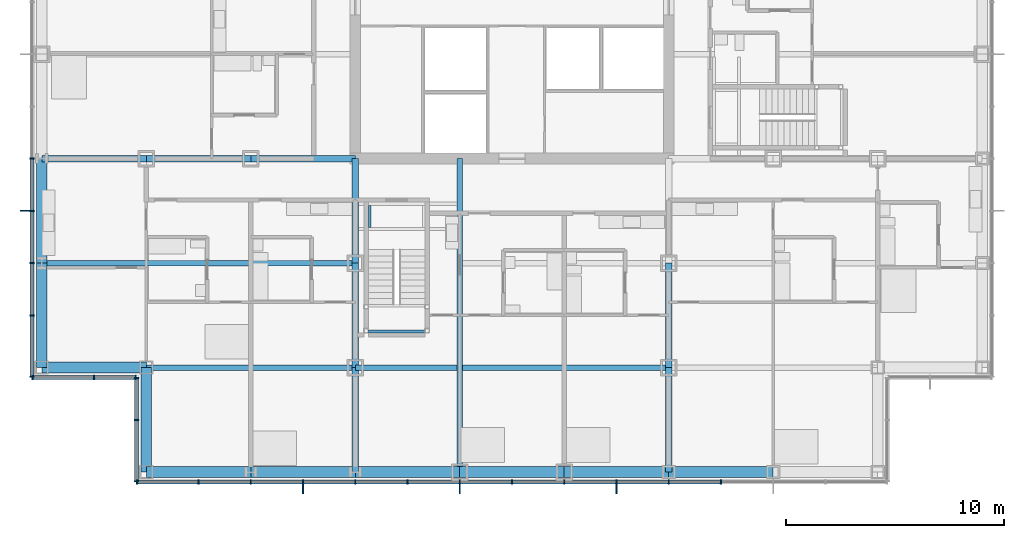
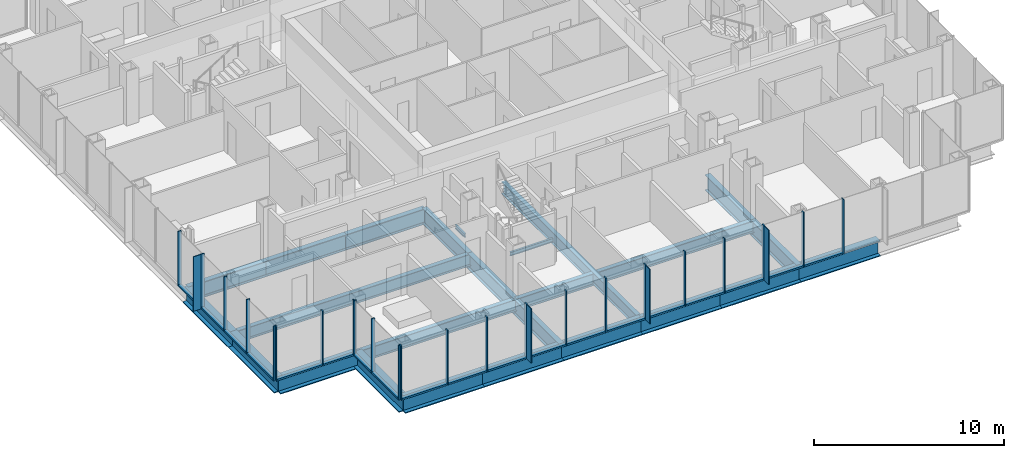
# One storey, part 6 of 21: 46 members, 25 beams, 4 elements without a shape of their own.
"""IFC4 building model written with IfcOpenShell, lengths in metres."""

from ifc_helpers import new_model, si_unit, direction, frame, origin, origin_2d, place, context, subcontext, project, spatial, rectangle, i_section, extrude, material, material_profile, profile_set, type_object, element, aggregate, save


model = new_model("IFC4")

# Units and contexts
model_context = context("Model", 3, precision=1e-05, world=origin(), true_north=direction((0.0, 1.0)))
body_context = subcontext(model_context, "Body", "Model", "MODEL_VIEW")
ifc_project = project(units=[si_unit("LENGTHUNIT", "METRE"), si_unit("AREAUNIT", "SQUARE_METRE"), si_unit("VOLUMEUNIT", "CUBIC_METRE"), si_unit("PLANEANGLEUNIT", "RADIAN"), si_unit("MASSUNIT", "GRAM", prefix="KILO")], contexts=[model_context])

# Site, building, storey
site_placement = place(None, origin())
site = spatial("IfcSite", under=ifc_project, at=site_placement, CompositionType="ELEMENT")
building_placement = place(site_placement, origin())
building = spatial("IfcBuilding", under=site, at=building_placement, Name="Kvirike Care Tower", CompositionType="ELEMENT")
storey_placement = place(building_placement, frame((0.0, 0.0, 41.0)))
storey = spatial("IfcBuildingStorey", under=building, at=storey_placement, Name="L10", CompositionType="ELEMENT", Elevation=41.0)

# Curtain wall, member
ifc_material_1 = material(Name="Anodised aluminium stick system", Category="aluminium")
curtain_wall_type = type_object("IfcCurtainWallType", Name="CW-A STICK CURTAIN WALL", PredefinedType="NOTDEFINED", material=ifc_material_1)
curtain_wall_1_placement = place(storey_placement, origin())
curtain_wall_1 = element("IfcCurtainWall", 1, at=curtain_wall_1_placement, inside=storey, type_object=curtain_wall_type, Name="Curtain wall L10 face 1", PredefinedType="NOTDEFINED")
ifc_material_2 = material(Name="Bronze anodised aluminium fin", Category="aluminium")
ifc_material_profile_1 = material_profile(ifc_material_2, rectangle(XDim=0.050048828125, YDim=0.449951171875, at=origin_2d()), Name="BRONZE FIN 450")
ifc_profile_set_1 = profile_set([ifc_material_profile_1], Name="Bronze anodised aluminium fin")
member_type_1 = type_object("IfcMemberType", Name="BRONZE FIN 450", PredefinedType="USERDEFINED", material=ifc_profile_set_1)
member_1_placement = place(storey_placement, frame((-0.77490234375, 26.39990234375, 0.0), z_axis=(0.0, 0.0, 1.0), x_axis=(0.0, -1.0, 0.0)))
member_1 = element("IfcMember", 2, at=member_1_placement, type_object=member_type_1, Name="Bronze fin L10 face 1.12", ObjectType="FIN", PredefinedType="USERDEFINED", context=body_context, shape_type="SweptSolid", body=[
    extrude(rectangle(XDim=0.050048828125, YDim=0.449951171875, at=origin_2d()), origin(), (0.0, 0.0, 1.0), 3.5),
])

# Curtain wall, members
curtain_wall_2_placement = place(storey_placement, origin())
curtain_wall_2 = element("IfcCurtainWall", 3, at=curtain_wall_2_placement, inside=storey, type_object=curtain_wall_type, Name="Curtain wall L10 face 4", PredefinedType="NOTDEFINED")
member_2_placement = place(storey_placement, frame((12.0, 13.625, 0.0), z_axis=(0.0, 0.0, 1.0), x_axis=(1.0, 0.0, 0.0)))
member_2 = element("IfcMember", 4, at=member_2_placement, type_object=member_type_1, Name="Bronze fin L10 face 4.4", ObjectType="FIN", PredefinedType="USERDEFINED", context=body_context, shape_type="SweptSolid", body=[
    extrude(rectangle(XDim=0.050048828125, YDim=0.449951171875, at=origin_2d()), origin(), (0.0, 0.0, 1.0), 3.5),
])
member_3_placement = place(storey_placement, frame((19.199951171875, 13.625, 0.0), z_axis=(0.0, 0.0, 1.0), x_axis=(1.0, 0.0, 0.0)))
member_3 = element("IfcMember", 5, at=member_3_placement, type_object=member_type_1, Name="Bronze fin L10 face 4.7", ObjectType="FIN", PredefinedType="USERDEFINED", context=body_context, shape_type="SweptSolid", body=[
    extrude(rectangle(XDim=0.050048828125, YDim=0.449951171875, at=origin_2d()), origin(), (0.0, 0.0, 1.0), 3.5),
])
member_4_placement = place(storey_placement, frame((26.39990234375, 13.625, 0.0), z_axis=(0.0, 0.0, 1.0), x_axis=(1.0, 0.0, 0.0)))
member_4 = element("IfcMember", 6, at=member_4_placement, type_object=member_type_1, Name="Bronze fin L10 face 4.10", ObjectType="FIN", PredefinedType="USERDEFINED", context=body_context, shape_type="SweptSolid", body=[
    extrude(rectangle(XDim=0.050048828125, YDim=0.449951171875, at=origin_2d()), origin(), (0.0, 0.0, 1.0), 3.5),
])

# Member
ifc_material_3 = material(Name="Bronze anodised aluminium mullion", Category="aluminium")
ifc_material_profile_2 = material_profile(ifc_material_3, rectangle(XDim=0.06494140625, YDim=0.199951171875, at=origin_2d()), Name="CW-A MULLION 65x200")
ifc_profile_set_2 = profile_set([ifc_material_profile_2], Name="Bronze anodised aluminium mullion")
member_type_2 = type_object("IfcMemberType", Name="CW-A MULLION 65x200", PredefinedType="MULLION", material=ifc_profile_set_2)
member_5_placement = place(storey_placement, frame((-0.449951171875, 28.800048828125, 0.0), z_axis=(0.0, 0.0, 1.0), x_axis=(0.0, -1.0, 0.0)))
member_5 = element("IfcMember", 7, at=member_5_placement, type_object=member_type_2, Name="CW-A mullion L10 face 1.11", PredefinedType="MULLION", context=body_context, shape_type="SweptSolid", body=[
    extrude(rectangle(XDim=0.06494140625, YDim=0.199951171875, at=origin_2d()), origin(), (0.0, 0.0, 1.0), 3.5),
])

member_6_placement = place(storey_placement, frame((-0.449951171875, 26.39990234375, 0.0), z_axis=(0.0, 0.0, 1.0), x_axis=(0.0, -1.0, 0.0)))
member_6 = element("IfcMember", 8, at=member_6_placement, type_object=member_type_2, Name="CW-A mullion L10 face 1.12", PredefinedType="MULLION", context=body_context, shape_type="SweptSolid", body=[
    extrude(rectangle(XDim=0.06494140625, YDim=0.199951171875, at=origin_2d()), origin(), (0.0, 0.0, 1.0), 3.5),
])

member_7_placement = place(storey_placement, frame((-0.449951171875, 24.0, 0.0), z_axis=(0.0, 0.0, 1.0), x_axis=(0.0, -1.0, 0.0)))
member_7 = element("IfcMember", 9, at=member_7_placement, type_object=member_type_2, Name="CW-A mullion L10 face 1.13", PredefinedType="MULLION", context=body_context, shape_type="SweptSolid", body=[
    extrude(rectangle(XDim=0.06494140625, YDim=0.199951171875, at=origin_2d()), origin(), (0.0, 0.0, 1.0), 3.5),
])

member_8_placement = place(storey_placement, frame((-0.449951171875, 21.60009765625, 0.0), z_axis=(0.0, 0.0, 1.0), x_axis=(0.0, -1.0, 0.0)))
member_8 = element("IfcMember", 10, at=member_8_placement, type_object=member_type_2, Name="CW-A mullion L10 face 1.14", PredefinedType="MULLION", context=body_context, shape_type="SweptSolid", body=[
    extrude(rectangle(XDim=0.06494140625, YDim=0.199951171875, at=origin_2d()), origin(), (0.0, 0.0, 1.0), 3.5),
])

member_9_placement = place(storey_placement, frame((-0.449951171875, 18.782470703125, 0.0), z_axis=(0.0, 0.0, 1.0), x_axis=(0.0, -1.0, 0.0)))
member_9 = element("IfcMember", 11, at=member_9_placement, type_object=member_type_2, Name="CW-A mullion L10 face 1.15", PredefinedType="MULLION", context=body_context, shape_type="SweptSolid", body=[
    extrude(rectangle(XDim=0.06494140625, YDim=0.199951171875, at=origin_2d()), origin(), (0.0, 0.0, 1.0), 3.5),
])

# Curtain wall, members
curtain_wall_3_placement = place(storey_placement, origin())
curtain_wall_3 = element("IfcCurtainWall", 12, at=curtain_wall_3_placement, inside=storey, type_object=curtain_wall_type, Name="Curtain wall L10 face 2", PredefinedType="NOTDEFINED")
member_10_placement = place(storey_placement, frame((-0.41748046875, 18.75, 0.0), z_axis=(0.0, 0.0, 1.0), x_axis=(1.0, 0.0, 0.0)))
member_10 = element("IfcMember", 13, at=member_10_placement, type_object=member_type_2, Name="CW-A mullion L10 face 2.1", PredefinedType="MULLION", context=body_context, shape_type="SweptSolid", body=[
    extrude(rectangle(XDim=0.06494140625, YDim=0.199951171875, at=origin_2d()), origin(), (0.0, 0.0, 1.0), 3.5),
])
member_11_placement = place(storey_placement, frame((2.39990234375, 18.75, 0.0), z_axis=(0.0, 0.0, 1.0), x_axis=(1.0, 0.0, 0.0)))
member_11 = element("IfcMember", 14, at=member_11_placement, type_object=member_type_2, Name="CW-A mullion L10 face 2.2", PredefinedType="MULLION", context=body_context, shape_type="SweptSolid", body=[
    extrude(rectangle(XDim=0.06494140625, YDim=0.199951171875, at=origin_2d()), origin(), (0.0, 0.0, 1.0), 3.5),
])
member_12_placement = place(storey_placement, frame((4.3173828125, 18.75, 0.0), z_axis=(0.0, 0.0, 1.0), x_axis=(1.0, 0.0, 0.0)))
member_12 = element("IfcMember", 15, at=member_12_placement, type_object=member_type_2, Name="CW-A mullion L10 face 2.3", PredefinedType="MULLION", context=body_context, shape_type="SweptSolid", body=[
    extrude(rectangle(XDim=0.06494140625, YDim=0.199951171875, at=origin_2d()), origin(), (0.0, 0.0, 1.0), 3.5),
])

curtain_wall_4_placement = place(storey_placement, origin())
curtain_wall_4 = element("IfcCurtainWall", 16, at=curtain_wall_4_placement, inside=storey, type_object=curtain_wall_type, Name="Curtain wall L10 face 3", PredefinedType="NOTDEFINED")
member_13_placement = place(storey_placement, frame((4.35009765625, 18.717529296875, 0.0), z_axis=(0.0, 0.0, 1.0), x_axis=(0.0, -1.0, 0.0)))
member_13 = element("IfcMember", 17, at=member_13_placement, type_object=member_type_2, Name="CW-A mullion L10 face 3.1", PredefinedType="MULLION", context=body_context, shape_type="SweptSolid", body=[
    extrude(rectangle(XDim=0.06494140625, YDim=0.199951171875, at=origin_2d()), origin(), (0.0, 0.0, 1.0), 3.5),
])
member_14_placement = place(storey_placement, frame((4.35009765625, 16.800048828125, 0.0), z_axis=(0.0, 0.0, 1.0), x_axis=(0.0, -1.0, 0.0)))
member_14 = element("IfcMember", 18, at=member_14_placement, type_object=member_type_2, Name="CW-A mullion L10 face 3.2", PredefinedType="MULLION", context=body_context, shape_type="SweptSolid", body=[
    extrude(rectangle(XDim=0.06494140625, YDim=0.199951171875, at=origin_2d()), origin(), (0.0, 0.0, 1.0), 3.5),
])
member_15_placement = place(storey_placement, frame((4.35009765625, 13.982421875, 0.0), z_axis=(0.0, 0.0, 1.0), x_axis=(0.0, -1.0, 0.0)))
member_15 = element("IfcMember", 19, at=member_15_placement, type_object=member_type_2, Name="CW-A mullion L10 face 3.3", PredefinedType="MULLION", context=body_context, shape_type="SweptSolid", body=[
    extrude(rectangle(XDim=0.06494140625, YDim=0.199951171875, at=origin_2d()), origin(), (0.0, 0.0, 1.0), 3.5),
])

# Member
member_16_placement = place(storey_placement, frame((4.382568359375, 13.949951171875, 0.0), z_axis=(0.0, 0.0, 1.0), x_axis=(1.0, 0.0, 0.0)))
member_16 = element("IfcMember", 20, at=member_16_placement, type_object=member_type_2, Name="CW-A mullion L10 face 4.1", PredefinedType="MULLION", context=body_context, shape_type="SweptSolid", body=[
    extrude(rectangle(XDim=0.06494140625, YDim=0.199951171875, at=origin_2d()), origin(), (0.0, 0.0, 1.0), 3.5),
])

member_17_placement = place(storey_placement, frame((7.199951171875, 13.949951171875, 0.0), z_axis=(0.0, 0.0, 1.0), x_axis=(1.0, 0.0, 0.0)))
member_17 = element("IfcMember", 21, at=member_17_placement, type_object=member_type_2, Name="CW-A mullion L10 face 4.2", PredefinedType="MULLION", context=body_context, shape_type="SweptSolid", body=[
    extrude(rectangle(XDim=0.06494140625, YDim=0.199951171875, at=origin_2d()), origin(), (0.0, 0.0, 1.0), 3.5),
])

member_18_placement = place(storey_placement, frame((9.60009765625, 13.949951171875, 0.0), z_axis=(0.0, 0.0, 1.0), x_axis=(1.0, 0.0, 0.0)))
member_18 = element("IfcMember", 22, at=member_18_placement, type_object=member_type_2, Name="CW-A mullion L10 face 4.3", PredefinedType="MULLION", context=body_context, shape_type="SweptSolid", body=[
    extrude(rectangle(XDim=0.06494140625, YDim=0.199951171875, at=origin_2d()), origin(), (0.0, 0.0, 1.0), 3.5),
])

member_19_placement = place(storey_placement, frame((12.0, 13.949951171875, 0.0), z_axis=(0.0, 0.0, 1.0), x_axis=(1.0, 0.0, 0.0)))
member_19 = element("IfcMember", 23, at=member_19_placement, type_object=member_type_2, Name="CW-A mullion L10 face 4.4", PredefinedType="MULLION", context=body_context, shape_type="SweptSolid", body=[
    extrude(rectangle(XDim=0.06494140625, YDim=0.199951171875, at=origin_2d()), origin(), (0.0, 0.0, 1.0), 3.5),
])

member_20_placement = place(storey_placement, frame((14.39990234375, 13.949951171875, 0.0), z_axis=(0.0, 0.0, 1.0), x_axis=(1.0, 0.0, 0.0)))
member_20 = element("IfcMember", 24, at=member_20_placement, type_object=member_type_2, Name="CW-A mullion L10 face 4.5", PredefinedType="MULLION", context=body_context, shape_type="SweptSolid", body=[
    extrude(rectangle(XDim=0.06494140625, YDim=0.199951171875, at=origin_2d()), origin(), (0.0, 0.0, 1.0), 3.5),
])

member_21_placement = place(storey_placement, frame((16.800048828125, 13.949951171875, 0.0), z_axis=(0.0, 0.0, 1.0), x_axis=(1.0, 0.0, 0.0)))
member_21 = element("IfcMember", 25, at=member_21_placement, type_object=member_type_2, Name="CW-A mullion L10 face 4.6", PredefinedType="MULLION", context=body_context, shape_type="SweptSolid", body=[
    extrude(rectangle(XDim=0.06494140625, YDim=0.199951171875, at=origin_2d()), origin(), (0.0, 0.0, 1.0), 3.5),
])

member_22_placement = place(storey_placement, frame((19.199951171875, 13.949951171875, 0.0), z_axis=(0.0, 0.0, 1.0), x_axis=(1.0, 0.0, 0.0)))
member_22 = element("IfcMember", 26, at=member_22_placement, type_object=member_type_2, Name="CW-A mullion L10 face 4.7", PredefinedType="MULLION", context=body_context, shape_type="SweptSolid", body=[
    extrude(rectangle(XDim=0.06494140625, YDim=0.199951171875, at=origin_2d()), origin(), (0.0, 0.0, 1.0), 3.5),
])

member_23_placement = place(storey_placement, frame((21.60009765625, 13.949951171875, 0.0), z_axis=(0.0, 0.0, 1.0), x_axis=(1.0, 0.0, 0.0)))
member_23 = element("IfcMember", 27, at=member_23_placement, type_object=member_type_2, Name="CW-A mullion L10 face 4.8", PredefinedType="MULLION", context=body_context, shape_type="SweptSolid", body=[
    extrude(rectangle(XDim=0.06494140625, YDim=0.199951171875, at=origin_2d()), origin(), (0.0, 0.0, 1.0), 3.5),
])

member_24_placement = place(storey_placement, frame((24.0, 13.949951171875, 0.0), z_axis=(0.0, 0.0, 1.0), x_axis=(1.0, 0.0, 0.0)))
member_24 = element("IfcMember", 28, at=member_24_placement, type_object=member_type_2, Name="CW-A mullion L10 face 4.9", PredefinedType="MULLION", context=body_context, shape_type="SweptSolid", body=[
    extrude(rectangle(XDim=0.06494140625, YDim=0.199951171875, at=origin_2d()), origin(), (0.0, 0.0, 1.0), 3.5),
])

member_25_placement = place(storey_placement, frame((26.39990234375, 13.949951171875, 0.0), z_axis=(0.0, 0.0, 1.0), x_axis=(1.0, 0.0, 0.0)))
member_25 = element("IfcMember", 29, at=member_25_placement, type_object=member_type_2, Name="CW-A mullion L10 face 4.10", PredefinedType="MULLION", context=body_context, shape_type="SweptSolid", body=[
    extrude(rectangle(XDim=0.06494140625, YDim=0.199951171875, at=origin_2d()), origin(), (0.0, 0.0, 1.0), 3.5),
])

member_26_placement = place(storey_placement, frame((28.800048828125, 13.949951171875, 0.0), z_axis=(0.0, 0.0, 1.0), x_axis=(1.0, 0.0, 0.0)))
member_26 = element("IfcMember", 30, at=member_26_placement, type_object=member_type_2, Name="CW-A mullion L10 face 4.11", PredefinedType="MULLION", context=body_context, shape_type="SweptSolid", body=[
    extrude(rectangle(XDim=0.06494140625, YDim=0.199951171875, at=origin_2d()), origin(), (0.0, 0.0, 1.0), 3.5),
])

member_27_placement = place(storey_placement, frame((31.199951171875, 13.949951171875, 0.0), z_axis=(0.0, 0.0, 1.0), x_axis=(1.0, 0.0, 0.0)))
member_27 = element("IfcMember", 31, at=member_27_placement, type_object=member_type_2, Name="CW-A mullion L10 face 4.12", PredefinedType="MULLION", context=body_context, shape_type="SweptSolid", body=[
    extrude(rectangle(XDim=0.06494140625, YDim=0.199951171875, at=origin_2d()), origin(), (0.0, 0.0, 1.0), 3.5),
])

ifc_material_4 = material(Name="Bronze anodised aluminium transom", Category="aluminium")
ifc_material_profile_3 = material_profile(ifc_material_4, rectangle(XDim=0.199951171875, YDim=0.10009765625, at=origin_2d()), Name="CW-A TRANSOM 200x100")
ifc_profile_set_3 = profile_set([ifc_material_profile_3], Name="Bronze anodised aluminium transom")
member_type_3 = type_object("IfcMemberType", Name="CW-A TRANSOM 200x100", PredefinedType="USERDEFINED", material=ifc_profile_set_3)
member_28_placement = place(storey_placement, frame((-0.449951171875, 28.767578125, 0.050048828125), z_axis=(0.0, -1.0, 0.0), x_axis=(1.0, 0.0, 0.0)))
member_28 = element("IfcMember", 32, at=member_28_placement, type_object=member_type_3, Name="CW-A sill transom L10 face 1.11", ObjectType="TRANSOM", PredefinedType="USERDEFINED", context=body_context, shape_type="SweptSolid", body=[
    extrude(rectangle(XDim=0.199951171875, YDim=0.10009765625, at=origin_2d()), origin(), (0.0, 0.0, 1.0), 2.3349609375),
])

member_29_placement = place(storey_placement, frame((-0.449951171875, 26.367431640625, 0.050048828125), z_axis=(0.0, -1.0, 0.0), x_axis=(1.0, 0.0, 0.0)))
member_29 = element("IfcMember", 33, at=member_29_placement, type_object=member_type_3, Name="CW-A sill transom L10 face 1.12", ObjectType="TRANSOM", PredefinedType="USERDEFINED", context=body_context, shape_type="SweptSolid", body=[
    extrude(rectangle(XDim=0.199951171875, YDim=0.10009765625, at=origin_2d()), origin(), (0.0, 0.0, 1.0), 2.3349609375),
])

member_30_placement = place(storey_placement, frame((-0.449951171875, 23.967529296875, 0.050048828125), z_axis=(0.0, -1.0, 0.0), x_axis=(1.0, 0.0, 0.0)))
member_30 = element("IfcMember", 34, at=member_30_placement, type_object=member_type_3, Name="CW-A sill transom L10 face 1.13", ObjectType="TRANSOM", PredefinedType="USERDEFINED", context=body_context, shape_type="SweptSolid", body=[
    extrude(rectangle(XDim=0.199951171875, YDim=0.10009765625, at=origin_2d()), origin(), (0.0, 0.0, 1.0), 2.3349609375),
])

member_31_placement = place(storey_placement, frame((-0.449951171875, 21.5673828125, 0.050048828125), z_axis=(0.0, -1.0, 0.0), x_axis=(1.0, 0.0, 0.0)))
member_31 = element("IfcMember", 35, at=member_31_placement, type_object=member_type_3, Name="CW-A sill transom L10 face 1.14", ObjectType="TRANSOM", PredefinedType="USERDEFINED", context=body_context, shape_type="SweptSolid", body=[
    extrude(rectangle(XDim=0.199951171875, YDim=0.10009765625, at=origin_2d()), origin(), (0.0, 0.0, 1.0), 2.75244140625),
])

aggregate(curtain_wall_1, [member_5, member_6, member_1, member_7, member_8, member_9, member_28, member_29, member_30, member_31])

member_32_placement = place(storey_placement, frame((-0.385009765625, 18.75, 0.050048828125), z_axis=(1.0, 0.0, 0.0), x_axis=(0.0, 1.0, 0.0)))
member_32 = element("IfcMember", 36, at=member_32_placement, type_object=member_type_3, Name="CW-A sill transom L10 face 2.1", ObjectType="TRANSOM", PredefinedType="USERDEFINED", context=body_context, shape_type="SweptSolid", body=[
    extrude(rectangle(XDim=0.199951171875, YDim=0.10009765625, at=origin_2d()), origin(), (0.0, 0.0, 1.0), 2.75244140625),
])

member_33_placement = place(storey_placement, frame((2.4326171875, 18.75, 0.050048828125), z_axis=(1.0, 0.0, 0.0), x_axis=(0.0, 1.0, 0.0)))
member_33 = element("IfcMember", 37, at=member_33_placement, type_object=member_type_3, Name="CW-A sill transom L10 face 2.2", ObjectType="TRANSOM", PredefinedType="USERDEFINED", context=body_context, shape_type="SweptSolid", body=[
    extrude(rectangle(XDim=0.199951171875, YDim=0.10009765625, at=origin_2d()), origin(), (0.0, 0.0, 1.0), 1.852294921875),
])

aggregate(curtain_wall_3, [member_10, member_11, member_12, member_32, member_33])

member_34_placement = place(storey_placement, frame((4.35009765625, 18.68505859375, 0.050048828125), z_axis=(0.0, -1.0, 0.0), x_axis=(1.0, 0.0, 0.0)))
member_34 = element("IfcMember", 38, at=member_34_placement, type_object=member_type_3, Name="CW-A sill transom L10 face 3.1", ObjectType="TRANSOM", PredefinedType="USERDEFINED", context=body_context, shape_type="SweptSolid", body=[
    extrude(rectangle(XDim=0.199951171875, YDim=0.10009765625, at=origin_2d()), origin(), (0.0, 0.0, 1.0), 1.8525390625),
])

member_35_placement = place(storey_placement, frame((4.35009765625, 16.767578125, 0.050048828125), z_axis=(0.0, -1.0, 0.0), x_axis=(1.0, 0.0, 0.0)))
member_35 = element("IfcMember", 39, at=member_35_placement, type_object=member_type_3, Name="CW-A sill transom L10 face 3.2", ObjectType="TRANSOM", PredefinedType="USERDEFINED", context=body_context, shape_type="SweptSolid", body=[
    extrude(rectangle(XDim=0.199951171875, YDim=0.10009765625, at=origin_2d()), origin(), (0.0, 0.0, 1.0), 2.752685546875),
])

aggregate(curtain_wall_4, [member_13, member_14, member_15, member_34, member_35])

member_36_placement = place(storey_placement, frame((4.4150390625, 13.949951171875, 0.050048828125), z_axis=(1.0, 0.0, 0.0), x_axis=(0.0, 1.0, 0.0)))
member_36 = element("IfcMember", 40, at=member_36_placement, type_object=member_type_3, Name="CW-A sill transom L10 face 4.1", ObjectType="TRANSOM", PredefinedType="USERDEFINED", context=body_context, shape_type="SweptSolid", body=[
    extrude(rectangle(XDim=0.199951171875, YDim=0.10009765625, at=origin_2d()), origin(), (0.0, 0.0, 1.0), 2.75244140625),
])

member_37_placement = place(storey_placement, frame((7.232421875, 13.949951171875, 0.050048828125), z_axis=(1.0, 0.0, 0.0), x_axis=(0.0, 1.0, 0.0)))
member_37 = element("IfcMember", 41, at=member_37_placement, type_object=member_type_3, Name="CW-A sill transom L10 face 4.2", ObjectType="TRANSOM", PredefinedType="USERDEFINED", context=body_context, shape_type="SweptSolid", body=[
    extrude(rectangle(XDim=0.199951171875, YDim=0.10009765625, at=origin_2d()), origin(), (0.0, 0.0, 1.0), 2.3349609375),
])

member_38_placement = place(storey_placement, frame((9.632568359375, 13.949951171875, 0.050048828125), z_axis=(1.0, 0.0, 0.0), x_axis=(0.0, 1.0, 0.0)))
member_38 = element("IfcMember", 42, at=member_38_placement, type_object=member_type_3, Name="CW-A sill transom L10 face 4.3", ObjectType="TRANSOM", PredefinedType="USERDEFINED", context=body_context, shape_type="SweptSolid", body=[
    extrude(rectangle(XDim=0.199951171875, YDim=0.10009765625, at=origin_2d()), origin(), (0.0, 0.0, 1.0), 2.3349609375),
])

member_39_placement = place(storey_placement, frame((12.032470703125, 13.949951171875, 0.050048828125), z_axis=(1.0, 0.0, 0.0), x_axis=(0.0, 1.0, 0.0)))
member_39 = element("IfcMember", 43, at=member_39_placement, type_object=member_type_3, Name="CW-A sill transom L10 face 4.4", ObjectType="TRANSOM", PredefinedType="USERDEFINED", context=body_context, shape_type="SweptSolid", body=[
    extrude(rectangle(XDim=0.199951171875, YDim=0.10009765625, at=origin_2d()), origin(), (0.0, 0.0, 1.0), 2.3349609375),
])

member_40_placement = place(storey_placement, frame((14.4326171875, 13.949951171875, 0.050048828125), z_axis=(1.0, 0.0, 0.0), x_axis=(0.0, 1.0, 0.0)))
member_40 = element("IfcMember", 44, at=member_40_placement, type_object=member_type_3, Name="CW-A sill transom L10 face 4.5", ObjectType="TRANSOM", PredefinedType="USERDEFINED", context=body_context, shape_type="SweptSolid", body=[
    extrude(rectangle(XDim=0.199951171875, YDim=0.10009765625, at=origin_2d()), origin(), (0.0, 0.0, 1.0), 2.3349609375),
])

member_41_placement = place(storey_placement, frame((16.83251953125, 13.949951171875, 0.050048828125), z_axis=(1.0, 0.0, 0.0), x_axis=(0.0, 1.0, 0.0)))
member_41 = element("IfcMember", 45, at=member_41_placement, type_object=member_type_3, Name="CW-A sill transom L10 face 4.6", ObjectType="TRANSOM", PredefinedType="USERDEFINED", context=body_context, shape_type="SweptSolid", body=[
    extrude(rectangle(XDim=0.199951171875, YDim=0.10009765625, at=origin_2d()), origin(), (0.0, 0.0, 1.0), 2.3349609375),
])

member_42_placement = place(storey_placement, frame((19.232421875, 13.949951171875, 0.050048828125), z_axis=(1.0, 0.0, 0.0), x_axis=(0.0, 1.0, 0.0)))
member_42 = element("IfcMember", 46, at=member_42_placement, type_object=member_type_3, Name="CW-A sill transom L10 face 4.7", ObjectType="TRANSOM", PredefinedType="USERDEFINED", context=body_context, shape_type="SweptSolid", body=[
    extrude(rectangle(XDim=0.199951171875, YDim=0.10009765625, at=origin_2d()), origin(), (0.0, 0.0, 1.0), 2.3349609375),
])

member_43_placement = place(storey_placement, frame((21.632568359375, 13.949951171875, 0.050048828125), z_axis=(1.0, 0.0, 0.0), x_axis=(0.0, 1.0, 0.0)))
member_43 = element("IfcMember", 47, at=member_43_placement, type_object=member_type_3, Name="CW-A sill transom L10 face 4.8", ObjectType="TRANSOM", PredefinedType="USERDEFINED", context=body_context, shape_type="SweptSolid", body=[
    extrude(rectangle(XDim=0.199951171875, YDim=0.10009765625, at=origin_2d()), origin(), (0.0, 0.0, 1.0), 2.3349609375),
])

member_44_placement = place(storey_placement, frame((24.032470703125, 13.949951171875, 0.050048828125), z_axis=(1.0, 0.0, 0.0), x_axis=(0.0, 1.0, 0.0)))
member_44 = element("IfcMember", 48, at=member_44_placement, type_object=member_type_3, Name="CW-A sill transom L10 face 4.9", ObjectType="TRANSOM", PredefinedType="USERDEFINED", context=body_context, shape_type="SweptSolid", body=[
    extrude(rectangle(XDim=0.199951171875, YDim=0.10009765625, at=origin_2d()), origin(), (0.0, 0.0, 1.0), 2.3349609375),
])

member_45_placement = place(storey_placement, frame((26.4326171875, 13.949951171875, 0.050048828125), z_axis=(1.0, 0.0, 0.0), x_axis=(0.0, 1.0, 0.0)))
member_45 = element("IfcMember", 49, at=member_45_placement, type_object=member_type_3, Name="CW-A sill transom L10 face 4.10", ObjectType="TRANSOM", PredefinedType="USERDEFINED", context=body_context, shape_type="SweptSolid", body=[
    extrude(rectangle(XDim=0.199951171875, YDim=0.10009765625, at=origin_2d()), origin(), (0.0, 0.0, 1.0), 2.3349609375),
])

member_46_placement = place(storey_placement, frame((28.83251953125, 13.949951171875, 0.050048828125), z_axis=(1.0, 0.0, 0.0), x_axis=(0.0, 1.0, 0.0)))
member_46 = element("IfcMember", 50, at=member_46_placement, type_object=member_type_3, Name="CW-A sill transom L10 face 4.11", ObjectType="TRANSOM", PredefinedType="USERDEFINED", context=body_context, shape_type="SweptSolid", body=[
    extrude(rectangle(XDim=0.199951171875, YDim=0.10009765625, at=origin_2d()), origin(), (0.0, 0.0, 1.0), 2.3349609375),
])

aggregate(curtain_wall_2, [member_16, member_17, member_18, member_19, member_2, member_20, member_21, member_22, member_3, member_23, member_24, member_25, member_4, member_26, member_27, member_36, member_37, member_38, member_39, member_40, member_41, member_42, member_43, member_44, member_45, member_46])

# Beams
ifc_material_5 = material(Name="Steel S355", Category="steel")
ifc_material_profile_4 = material_profile(ifc_material_5, i_section(OverallWidth=0.26806640625, OverallDepth=0.77001953125, WebThickness=0.015625, FlangeThickness=0.025390625, FilletRadius=0.01708984375, at=origin_2d()), Name="IPE 750x196")
ifc_profile_set_4 = profile_set([ifc_material_profile_4], Name="Steel S355")
beam_type_1 = type_object("IfcBeamType", Name="FLOOR BEAM IPE 750x196", PredefinedType="BEAM", material=ifc_profile_set_4)
beam_1_placement = place(storey_placement, frame((4.800048828125, 19.199951171875, -0.554931640625), z_axis=(1.0, 0.0, 0.0), x_axis=(0.0, 1.0, 0.0)))
element("IfcBeam", 51, at=beam_1_placement, inside=storey, type_object=beam_type_1, Name="Floor Beam E4-E6 L10", PredefinedType="BEAM", context=body_context, shape_type="SweptSolid", body=[
    extrude(i_section(OverallWidth=0.26806640625, OverallDepth=0.77001953125, WebThickness=0.015625, FlangeThickness=0.025390625, FilletRadius=0.01708984375, at=origin_2d()), origin(), (0.0, 0.0, 1.0), 9.599853515625),
])
beam_2_placement = place(storey_placement, frame((14.39990234375, 19.199951171875, -0.554931640625), z_axis=(1.0, 0.0, 0.0), x_axis=(0.0, 1.0, 0.0)))
element("IfcBeam", 52, at=beam_2_placement, inside=storey, type_object=beam_type_1, Name="Floor Beam E6-E7 L10", PredefinedType="BEAM", context=body_context, shape_type="SweptSolid", body=[
    extrude(i_section(OverallWidth=0.26806640625, OverallDepth=0.77001953125, WebThickness=0.015625, FlangeThickness=0.025390625, FilletRadius=0.01708984375, at=origin_2d()), origin(), (0.0, 0.0, 1.0), 4.666015625),
])
beam_3_placement = place(storey_placement, frame((19.333984375, 19.199951171875, -0.554931640625), z_axis=(1.0, 0.0, 0.0), x_axis=(0.0, 1.0, 0.0)))
element("IfcBeam", 53, at=beam_3_placement, inside=storey, type_object=beam_type_1, Name="Floor Beam E7-E9 L10", PredefinedType="BEAM", context=body_context, shape_type="SweptSolid", body=[
    extrude(i_section(OverallWidth=0.26806640625, OverallDepth=0.77001953125, WebThickness=0.015625, FlangeThickness=0.025390625, FilletRadius=0.01708984375, at=origin_2d()), origin(), (0.0, 0.0, 1.0), 9.466064453125),
])
beam_4_placement = place(storey_placement, frame((0.0, 24.0, -0.554931640625), z_axis=(1.0, 0.0, 0.0), x_axis=(0.0, 1.0, 0.0)))
element("IfcBeam", 54, at=beam_4_placement, inside=storey, type_object=beam_type_1, Name="Floor Beam F3-F6 L10", PredefinedType="BEAM", context=body_context, shape_type="SweptSolid", body=[
    extrude(i_section(OverallWidth=0.26806640625, OverallDepth=0.77001953125, WebThickness=0.015625, FlangeThickness=0.025390625, FilletRadius=0.01708984375, at=origin_2d()), origin(), (0.0, 0.0, 1.0), 14.39990234375),
])
beam_5_placement = place(storey_placement, frame((19.199951171875, 14.39990234375, -0.554931640625), z_axis=(0.0, 1.0, 0.0), x_axis=(-1.0, 0.0, 0.0)))
element("IfcBeam", 55, at=beam_5_placement, inside=storey, type_object=beam_type_1, Name="Floor Beam D7-G7 L10", PredefinedType="BEAM", context=body_context, shape_type="SweptSolid", body=[
    extrude(i_section(OverallWidth=0.26806640625, OverallDepth=0.77001953125, WebThickness=0.015625, FlangeThickness=0.025390625, FilletRadius=0.01708984375, at=origin_2d()), origin(), (0.0, 0.0, 1.0), 14.400146484375),
])
ifc_material_6 = material(Name="Steel S355", Category="steel")
ifc_material_profile_5 = material_profile(ifc_material_6, i_section(OverallWidth=0.300048828125, OverallDepth=1.0, WebThickness=0.01904296875, FlangeThickness=0.035888671875, FilletRadius=0.030029296875, at=origin_2d()), Name="HE 1000 B")
ifc_profile_set_5 = profile_set([ifc_material_profile_5], Name="Steel S355")
beam_type_2 = type_object("IfcBeamType", Name="FRAME BEAM HE 1000 B", PredefinedType="BEAM", material=ifc_profile_set_5)
for number, where, z_axis, x_axis, name in (
    (56, (0.0, 28.800048828125, -0.669921875), (1.0, 0.0, 0.0), (0.0, 1.0, 0.0), "Frame Beam G3-G4 L10"),
    (57, (4.800048828125, 28.800048828125, -0.669921875), (1.0, 0.0, 0.0), (0.0, 1.0, 0.0), "Frame Beam G4-G5 L10"),
):
    element("IfcBeam", number, at=place(storey_placement, frame(where, z_axis=z_axis, x_axis=x_axis)), inside=storey, type_object=beam_type_2, Name=name, PredefinedType="BEAM", context=body_context, shape_type="SweptSolid", body=[
        extrude(i_section(OverallWidth=0.300048828125, OverallDepth=1.0, WebThickness=0.01904296875, FlangeThickness=0.035888671875, FilletRadius=0.030029296875, at=origin_2d()), origin(), (0.0, 0.0, 1.0), 4.800048828125),
    ])
beam_6_placement = place(storey_placement, frame((9.60009765625, 28.800048828125, -0.669921875), z_axis=(1.0, 0.0, 0.0), x_axis=(0.0, 1.0, 0.0)))
element("IfcBeam", 58, at=beam_6_placement, inside=storey, type_object=beam_type_2, Name="Frame Beam G5-G6 L10", PredefinedType="BEAM", context=body_context, shape_type="SweptSolid", body=[
    extrude(i_section(OverallWidth=0.300048828125, OverallDepth=1.0, WebThickness=0.01904296875, FlangeThickness=0.035888671875, FilletRadius=0.030029296875, at=origin_2d()), origin(), (0.0, 0.0, 1.0), 4.7998046875),
])
for number, where, z_axis, x_axis, name in (
    (59, (14.39990234375, 14.39990234375, -0.669921875), (0.0, 1.0, 0.0), (-1.0, 0.0, 0.0), "Frame Beam D6-E6 L10"),
    (60, (14.39990234375, 19.199951171875, -0.669921875), (0.0, 1.0, 0.0), (-1.0, 0.0, 0.0), "Frame Beam E6-F6 L10"),
    (61, (14.39990234375, 24.0, -0.669921875), (0.0, 1.0, 0.0), (-1.0, 0.0, 0.0), "Frame Beam F6-G6 L10"),
    (62, (28.800048828125, 14.39990234375, -0.669921875), (0.0, 1.0, 0.0), (-1.0, 0.0, 0.0), "Frame Beam D9-E9 L10"),
    (63, (28.800048828125, 19.199951171875, -0.669921875), (0.0, 1.0, 0.0), (-1.0, 0.0, 0.0), "Frame Beam E9-F9 L10"),
):
    element("IfcBeam", number, at=place(storey_placement, frame(where, z_axis=z_axis, x_axis=x_axis)), inside=storey, type_object=beam_type_2, Name=name, PredefinedType="BEAM", context=body_context, shape_type="SweptSolid", body=[
        extrude(i_section(OverallWidth=0.300048828125, OverallDepth=1.0, WebThickness=0.01904296875, FlangeThickness=0.035888671875, FilletRadius=0.030029296875, at=origin_2d()), origin(), (0.0, 0.0, 1.0), 4.800048828125),
    ])
ifc_material_7 = material(Name="Steel S355", Category="steel")
ifc_material_profile_6 = material_profile(ifc_material_7, i_section(OverallWidth=0.5, OverallDepth=1.0, WebThickness=0.030029296875, FlangeThickness=0.06005859375, at=origin_2d()), Name="PG 1000x500x30x60")
ifc_profile_set_6 = profile_set([ifc_material_profile_6], Name="Steel S355")
beam_type_3 = type_object("IfcBeamType", Name="SPANDREL PG 1000x500x30x60", PredefinedType="SPANDREL", material=ifc_profile_set_6)
beam_7_placement = place(storey_placement, frame((4.800048828125, 14.39990234375, -0.669921875), z_axis=(1.0, 0.0, 0.0), x_axis=(0.0, 1.0, 0.0)))
element("IfcBeam", 64, at=beam_7_placement, inside=storey, type_object=beam_type_3, Name="Spandrel D4-D5 L10", PredefinedType="SPANDREL", context=body_context, shape_type="SweptSolid", body=[
    extrude(i_section(OverallWidth=0.5, OverallDepth=1.0, WebThickness=0.030029296875, FlangeThickness=0.06005859375, at=origin_2d()), origin(), (0.0, 0.0, 1.0), 4.800048828125),
])
beam_8_placement = place(storey_placement, frame((9.60009765625, 14.39990234375, -0.669921875), z_axis=(1.0, 0.0, 0.0), x_axis=(0.0, 1.0, 0.0)))
element("IfcBeam", 65, at=beam_8_placement, inside=storey, type_object=beam_type_3, Name="Spandrel D5-D6 L10", PredefinedType="SPANDREL", context=body_context, shape_type="SweptSolid", body=[
    extrude(i_section(OverallWidth=0.5, OverallDepth=1.0, WebThickness=0.030029296875, FlangeThickness=0.06005859375, at=origin_2d()), origin(), (0.0, 0.0, 1.0), 4.7998046875),
])
for number, where, z_axis, x_axis, name in (
    (66, (14.39990234375, 14.39990234375, -0.669921875), (1.0, 0.0, 0.0), (0.0, 1.0, 0.0), "Spandrel D6-D7 L10"),
    (67, (19.199951171875, 14.39990234375, -0.669921875), (1.0, 0.0, 0.0), (0.0, 1.0, 0.0), "Spandrel D7-D8 L10"),
    (68, (24.0, 14.39990234375, -0.669921875), (1.0, 0.0, 0.0), (0.0, 1.0, 0.0), "Spandrel D8-D9 L10"),
    (69, (28.800048828125, 14.39990234375, -0.669921875), (1.0, 0.0, 0.0), (0.0, 1.0, 0.0), "Spandrel D9-D10 L10"),
    (70, (0.0, 19.199951171875, -0.669921875), (1.0, 0.0, 0.0), (0.0, 1.0, 0.0), "Spandrel E3-E4 L10"),
    (71, (0.0, 19.199951171875, -0.669921875), (0.0, 1.0, 0.0), (-1.0, 0.0, 0.0), "Spandrel E3-F3 L10"),
    (72, (0.0, 24.0, -0.669921875), (0.0, 1.0, 0.0), (-1.0, 0.0, 0.0), "Spandrel F3-G3 L10"),
    (73, (4.800048828125, 14.39990234375, -0.669921875), (0.0, 1.0, 0.0), (-1.0, 0.0, 0.0), "Spandrel D4-E4 L10"),
):
    element("IfcBeam", number, at=place(storey_placement, frame(where, z_axis=z_axis, x_axis=x_axis)), inside=storey, type_object=beam_type_3, Name=name, PredefinedType="SPANDREL", context=body_context, shape_type="SweptSolid", body=[
        extrude(i_section(OverallWidth=0.5, OverallDepth=1.0, WebThickness=0.030029296875, FlangeThickness=0.06005859375, at=origin_2d()), origin(), (0.0, 0.0, 1.0), 4.800048828125),
    ])
ifc_material_8 = material(Name="Steel S355", Category="steel")
ifc_material_profile_7 = material_profile(ifc_material_8, i_section(OverallWidth=0.1201171875, OverallDepth=0.239990234375, WebThickness=0.006103515625, FlangeThickness=0.009765625, FilletRadius=0.014892578125, at=origin_2d()), Name="IPE 240")
ifc_profile_set_7 = profile_set([ifc_material_profile_7], Name="Steel S355")
beam_type_4 = type_object("IfcBeamType", Name="STAIR LANDING BEAM IPE 240", PredefinedType="BEAM", material=ifc_profile_set_7)
beam_9_placement = place(storey_placement, frame((15.0, 20.860107421875, 1.429931640625), z_axis=(1.0, 0.0, 0.0), x_axis=(0.0, 1.0, 0.0)))
element("IfcBeam", 74, at=beam_9_placement, inside=storey, type_object=beam_type_4, Name="Stair 5 landing beam back L10", PredefinedType="BEAM", context=body_context, shape_type="SweptSolid", body=[
    extrude(i_section(OverallWidth=0.1201171875, OverallDepth=0.239990234375, WebThickness=0.006103515625, FlangeThickness=0.009765625, FilletRadius=0.014892578125, at=origin_2d()), origin(), (0.0, 0.0, 1.0), 2.60009765625),
])
beam_10_placement = place(storey_placement, frame((15.06005859375, 25.64990234375, -0.320068359375), z_axis=(0.0, 1.0, 0.0), x_axis=(-1.0, 0.0, 0.0)))
element("IfcBeam", 75, at=beam_10_placement, inside=storey, type_object=beam_type_4, Name="Stair 5 landing edge beam 1 L10", PredefinedType="BEAM", context=body_context, shape_type="SweptSolid", body=[
    extrude(i_section(OverallWidth=0.1201171875, OverallDepth=0.239990234375, WebThickness=0.006103515625, FlangeThickness=0.009765625, FilletRadius=0.014892578125, at=origin_2d()), origin(), (0.0, 0.0, 1.0), 1.0),
])

save(model, "model.ifc")
